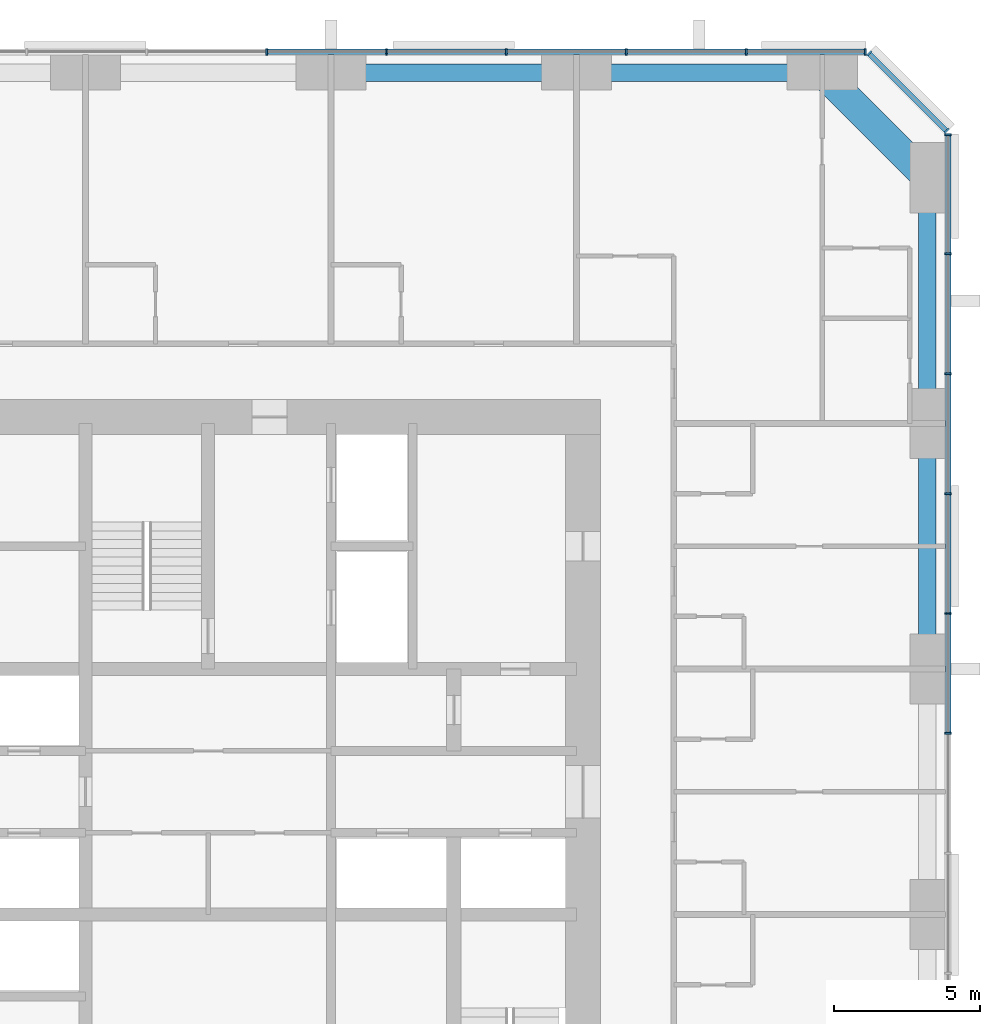
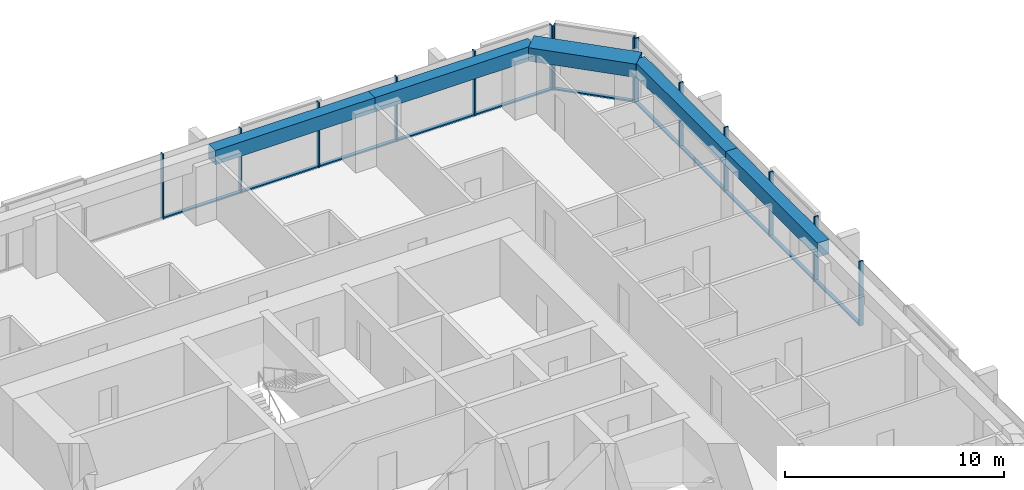
# One storey, part 6 of 13: 25 members, 5 beams, 3 elements without a shape of their own.
"""IFC4 building model written with IfcOpenShell, lengths in metres."""

import ifcopenshell
import ifcopenshell.guid

model = None  # the IFC model being written
_history = None  # IfcOwnerHistory: only IFC2X3 demands one
_inside = {}  # id of a spatial element -> (the spatial element, [elements in it])
_under = {}  # id of a project, library or spatial element -> (it, [spatial elements below it])
_declared = {}  # id of a project -> (the project, [libraries it declares])
_typed = {}  # id of a type object -> (the type object, [elements of that type])
_made_of = {}  # id of a material, layer set ... -> (it, [elements and type objects made of it])


def new_model(schema):
    """Start an empty IFC model of exactly this schema.

    Asked for "IFC4X3", IfcOpenShell would pick the latest addendum, in which some entities
    have other attributes; the version numbers below select the first issue.
    IFC2X3 requires an IfcOwnerHistory on every rooted entity: one is made here for all.
    """
    global model, _history
    if schema == "IFC4X3":
        model = ifcopenshell.file(schema_version=(4, 3, 0, 0))
    else:
        model = ifcopenshell.file(schema=schema)
    _inside.clear()
    _under.clear()
    _declared.clear()
    _typed.clear()
    _made_of.clear()
    _history = None
    if model.schema == "IFC2X3":
        org = make("IfcOrganization", Name="unknown")
        user = make(
            "IfcPersonAndOrganization",
            ThePerson=make("IfcPerson", FamilyName="unknown"),
            TheOrganization=org,
        )
        app = make(
            "IfcApplication",
            ApplicationDeveloper=org,
            Version="unknown",
            ApplicationFullName="unknown",
            ApplicationIdentifier="unknown",
        )
        _history = make(
            "IfcOwnerHistory",
            OwningUser=user,
            OwningApplication=app,
            ChangeAction="ADDED",
            CreationDate=0,
        )
    return model


def make(cls, **values):
    """One entity of the class cls with the attributes given. An attribute that is None is left unset."""
    return model.create_entity(
        cls, **{name: value for name, value in values.items() if value is not None}
    )


def rooted(cls, **values):
    """An entity with a GlobalId (a new one), such as an element, a storey or a relation."""
    return make(cls, GlobalId=ifcopenshell.guid.new(), OwnerHistory=_history, **values)


def si_unit(unit_type, name, prefix=None):
    """IfcSIUnit, for example si_unit("LENGTHUNIT", "METRE", prefix="MILLI")."""
    return make("IfcSIUnit", UnitType=unit_type, Prefix=prefix, Name=name)


def assignment(units):
    """IfcUnitAssignment: the units of a project."""
    return None if units is None else make("IfcUnitAssignment", Units=units)


def point(xyz):
    """IfcCartesianPoint."""
    return None if xyz is None else make("IfcCartesianPoint", Coordinates=xyz)


def direction(xyz):
    """IfcDirection."""
    return None if xyz is None else make("IfcDirection", DirectionRatios=xyz)


def frame(location, z_axis=None, x_axis=None):
    """IfcAxis2Placement3D, a coordinate frame: its origin and axes. An axis left out is left unset."""
    return make(
        "IfcAxis2Placement3D",
        Location=point(location),
        Axis=direction(z_axis),
        RefDirection=direction(x_axis),
    )


def frame_2d(location, x_axis=None):
    """IfcAxis2Placement2D, a coordinate frame in the plane: its origin and x axis."""
    return make(
        "IfcAxis2Placement2D", Location=point(location), RefDirection=direction(x_axis)
    )


def origin():
    """The frame at (0, 0, 0) with its axes left unset."""
    return frame((0.0, 0.0, 0.0))


def origin_2d():
    """The frame at (0, 0) in the plane with its x axis left unset."""
    return frame_2d((0.0, 0.0))


def place(relative_to, where):
    """IfcLocalPlacement: puts the frame where relative to a parent placement (None: the world)."""
    return make(
        "IfcLocalPlacement", PlacementRelTo=relative_to, RelativePlacement=where
    )


def context(
    kind, dimensions, precision=None, world=None, true_north=None, identifier=None
):
    """IfcGeometricRepresentationContext, for example the 3D "Model" context."""
    return make(
        "IfcGeometricRepresentationContext",
        ContextIdentifier=identifier,
        ContextType=kind,
        CoordinateSpaceDimension=dimensions,
        Precision=precision,
        WorldCoordinateSystem=world,
        TrueNorth=true_north,
    )


def subcontext(parent, identifier, kind, view, scale=None):
    """IfcGeometricRepresentationSubContext, for example "Body" below "Model"."""
    return make(
        "IfcGeometricRepresentationSubContext",
        ContextIdentifier=identifier,
        ContextType=kind,
        ParentContext=parent,
        TargetScale=scale,
        TargetView=view,
    )


def project(units=None, contexts=None):
    """IfcProject with its units and contexts."""
    return rooted(
        "IfcProject",
        Name="project",
        RepresentationContexts=contexts,
        UnitsInContext=assignment(units),
    )


def spatial(cls, under=None, at=None, **own):
    """A site, building, storey or space (cls), placed at a placement, below another one or the project."""
    s = rooted(cls, ObjectPlacement=at, **own)
    if under is not None:
        _under.setdefault(under.id(), (under, []))[1].append(s)
    return s


def profile(cls, at=None, kind="AREA", **sizes):
    """A parametric profile (cls). Its sizes go by their IFC names, for example OverallWidth=200.0."""
    return make(cls, ProfileType=kind, Position=at, **sizes)


def rectangle(**sizes):
    """IfcRectangleProfileDef."""
    return profile("IfcRectangleProfileDef", **sizes)


def extrude(swept, where, along, depth):
    """IfcExtrudedAreaSolid: the profile swept, set in the frame where, extruded along a direction by depth."""
    return make(
        "IfcExtrudedAreaSolid",
        SweptArea=swept,
        Position=where,
        ExtrudedDirection=direction(along),
        Depth=depth,
    )


def shape(context_of_items, identifier, shape_type, items):
    """IfcShapeRepresentation: the items that make up one representation, for example the "Body"."""
    return make(
        "IfcShapeRepresentation",
        ContextOfItems=context_of_items,
        RepresentationIdentifier=identifier,
        RepresentationType=shape_type,
        Items=items,
    )


def material(Name=None, Category=None):
    """IfcMaterial."""
    return make("IfcMaterial", Name=Name, Category=Category)


def material_profile(
    of_material, cross_section, Name=None, Category=None, Priority=None
):
    """IfcMaterialProfile: a cross section and its material."""
    return make(
        "IfcMaterialProfile",
        Name=Name,
        Material=of_material,
        Profile=cross_section,
        Priority=Priority,
        Category=Category,
    )


def profile_set(profiles, Name=None, composite=None):
    """IfcMaterialProfileSet."""
    return make(
        "IfcMaterialProfileSet",
        Name=Name,
        MaterialProfiles=profiles,
        CompositeProfile=composite,
    )


def made_of(thing, what):
    """Note that an element or type object is made of a material, layer set ...; save() writes the relation."""
    if what is not None:
        _made_of.setdefault(what.id(), (what, []))[1].append(thing)
    return thing


def type_object(cls, material=None, **own):
    """A type object (cls), such as IfcWallType, which elements share."""
    return made_of(rooted(cls, **own), material)


def element(
    cls,
    number,
    at=None,
    inside=None,
    cuts=None,
    type_object=None,
    material=None,
    context=None,
    identifier="Body",
    shape_type=None,
    held_by="IfcProductDefinitionShape",
    body=None,
    shapes=None,
    **own,
):
    """One element of the class cls, such as IfcWall. Its Tag is "e" and its number.

    at: its placement. inside: the storey or other place that contains it. cuts: it is an
    opening in that element (IfcRelVoidsElement). A single representation is given by context,
    identifier, shape_type and body (its items); several are given by shapes. held_by: the class
    of the entity that holds the representations. save() writes the other relations.
    """
    e = rooted(cls, Tag="e%d" % number, ObjectPlacement=at, **own)
    if body is not None:
        shapes = [shape(context, identifier, shape_type, body)]
    if shapes is not None:
        e.Representation = make(held_by, Representations=shapes)
    if inside is not None:
        _inside.setdefault(inside.id(), (inside, []))[1].append(e)
    if cuts is not None:
        rooted(
            "IfcRelVoidsElement", RelatingBuildingElement=cuts, RelatedOpeningElement=e
        )
    if type_object is not None:
        _typed.setdefault(type_object.id(), (type_object, []))[1].append(e)
    return made_of(e, material)


def aggregate(whole, parts):
    """IfcRelAggregates: a whole, such as a stair, and the parts it consists of."""
    return rooted("IfcRelAggregates", RelatingObject=whole, RelatedObjects=parts)


def save(model, path):
    """Write the relations noted so far, then the file.

    IfcRelAggregates (storeys below a building ...), IfcRelContainedInSpatialStructure (elements
    in a storey), IfcRelDefinesByType, IfcRelAssociatesMaterial and IfcRelDeclares: one each for
    every whole, place, type object, material and project.
    """
    for whole, parts in _under.values():
        aggregate(whole, parts)
    for where, things in _inside.values():
        rooted(
            "IfcRelContainedInSpatialStructure",
            RelatedElements=things,
            RelatingStructure=where,
        )
    for kind, things in _typed.values():
        rooted("IfcRelDefinesByType", RelatedObjects=things, RelatingType=kind)
    for what, things in _made_of.values():
        rooted("IfcRelAssociatesMaterial", RelatedObjects=things, RelatingMaterial=what)
    for by, libraries in _declared.values():
        rooted("IfcRelDeclares", RelatingContext=by, RelatedDefinitions=libraries)
    model.write(path)


model = new_model("IFC4")

# Units and contexts
model_context = context("Model", 3, precision=1e-05, world=origin(), true_north=direction((0.0, 1.0)))
body_context = subcontext(model_context, "Body", "Model", "MODEL_VIEW")
ifc_project = project(units=[si_unit("LENGTHUNIT", "METRE"), si_unit("AREAUNIT", "SQUARE_METRE"), si_unit("VOLUMEUNIT", "CUBIC_METRE"), si_unit("PLANEANGLEUNIT", "RADIAN"), si_unit("MASSUNIT", "GRAM", prefix="KILO")], contexts=[model_context])

# Site, building, storey
site_placement = place(None, origin())
site = spatial("IfcSite", under=ifc_project, at=site_placement, CompositionType="ELEMENT")
building_placement = place(site_placement, origin())
building = spatial("IfcBuilding", under=site, at=building_placement, Name="Dunama Terrace Hotel", CompositionType="ELEMENT")
storey_placement = place(building_placement, frame((0.0, 0.0, 115.199951171875)))
storey = spatial("IfcBuildingStorey", under=building, at=storey_placement, Name="L29", CompositionType="ELEMENT", Elevation=115.199951171875)

# Curtain wall, members
ifc_material_1 = material(Name="Aluminium curtain wall system", Category="aluminium")
curtain_wall_type = type_object("IfcCurtainWallType", Name="Unitised fritted glass wall CW-B", PredefinedType="NOTDEFINED", material=ifc_material_1)
curtain_wall_1_placement = place(storey_placement, origin())
curtain_wall_1 = element("IfcCurtainWall", 1, at=curtain_wall_1_placement, inside=storey, type_object=curtain_wall_type, Name="Unitised fritted glass wall CW-B L29", PredefinedType="NOTDEFINED")
ifc_material_2 = material(Name="Aluminium mullion", Category="aluminium")
ifc_material_profile_1 = material_profile(ifc_material_2, rectangle(XDim=0.06494140625, YDim=0.219970703125, at=origin_2d()), Name="CWB MULLION 65X220")
ifc_profile_set_1 = profile_set([ifc_material_profile_1], Name="Aluminium mullion")
member_type_1 = type_object("IfcMemberType", Name="CWB mullion 65x220", PredefinedType="MULLION", material=ifc_profile_set_1)
member_1_placement = place(storey_placement, frame((54.7099609375, 31.39990234375, 0.0), z_axis=(0.0, 0.0, 1.0), x_axis=(0.0, 1.0, 0.0)))
member_1 = element("IfcMember", 2, at=member_1_placement, type_object=member_type_1, Name="CWB mullion", PredefinedType="MULLION", context=body_context, shape_type="SweptSolid", body=[
    extrude(rectangle(XDim=0.06494140625, YDim=0.219970703125, at=origin_2d()), origin(), (0.0, 0.0, 1.0), 3.60009765625),
])
member_2_placement = place(storey_placement, frame((54.7099609375, 35.5, 0.0), z_axis=(0.0, 0.0, 1.0), x_axis=(0.0, 1.0, 0.0)))
member_2 = element("IfcMember", 3, at=member_2_placement, type_object=member_type_1, Name="CWB mullion", PredefinedType="MULLION", context=body_context, shape_type="SweptSolid", body=[
    extrude(rectangle(XDim=0.06494140625, YDim=0.219970703125, at=origin_2d()), origin(), (0.0, 0.0, 1.0), 3.60009765625),
])
member_3_placement = place(storey_placement, frame((54.7099609375, 39.60009765625, 0.0), z_axis=(0.0, 0.0, 1.0), x_axis=(0.0, 1.0, 0.0)))
member_3 = element("IfcMember", 4, at=member_3_placement, type_object=member_type_1, Name="CWB mullion", PredefinedType="MULLION", context=body_context, shape_type="SweptSolid", body=[
    extrude(rectangle(XDim=0.06494140625, YDim=0.219970703125, at=origin_2d()), origin(), (0.0, 0.0, 1.0), 3.60009765625),
])
member_4_placement = place(storey_placement, frame((54.7099609375, 43.699951171875, 0.0), z_axis=(0.0, 0.0, 1.0), x_axis=(0.0, 1.0, 0.0)))
member_4 = element("IfcMember", 5, at=member_4_placement, type_object=member_type_1, Name="CWB mullion", PredefinedType="MULLION", context=body_context, shape_type="SweptSolid", body=[
    extrude(rectangle(XDim=0.06494140625, YDim=0.219970703125, at=origin_2d()), origin(), (0.0, 0.0, 1.0), 3.60009765625),
])
member_5_placement = place(storey_placement, frame((54.7099609375, 47.800048828125, 0.0), z_axis=(0.0, 0.0, 1.0), x_axis=(0.0, 1.0, 0.0)))
member_5 = element("IfcMember", 6, at=member_5_placement, type_object=member_type_1, Name="CWB mullion", PredefinedType="MULLION", context=body_context, shape_type="SweptSolid", body=[
    extrude(rectangle(XDim=0.06494140625, YDim=0.219970703125, at=origin_2d()), origin(), (0.0, 0.0, 1.0), 3.60009765625),
])
member_6_placement = place(storey_placement, frame((54.7099609375, 51.866943359375, 0.0), z_axis=(0.0, 0.0, 1.0), x_axis=(0.0, 1.0, 0.0)))
member_6 = element("IfcMember", 7, at=member_6_placement, type_object=member_type_1, Name="CWB mullion", PredefinedType="MULLION", context=body_context, shape_type="SweptSolid", body=[
    extrude(rectangle(XDim=0.06494140625, YDim=0.219970703125, at=origin_2d()), origin(), (0.0, 0.0, 1.0), 3.60009765625),
])

curtain_wall_2_placement = place(storey_placement, origin())
curtain_wall_2 = element("IfcCurtainWall", 8, at=curtain_wall_2_placement, inside=storey, type_object=curtain_wall_type, Name="Unitised fritted glass wall CW-B L29", PredefinedType="NOTDEFINED")
member_7_placement = place(storey_placement, frame((54.655029296875, 52.0009765625, 0.0), z_axis=(0.0, 0.0, 1.0), x_axis=(-0.707106781187, 0.707106781187, 0.0)))
member_7 = element("IfcMember", 9, at=member_7_placement, type_object=member_type_1, Name="CWB mullion", PredefinedType="MULLION", context=body_context, shape_type="SweptSolid", body=[
    extrude(rectangle(XDim=0.06494140625, YDim=0.219970703125, at=origin_2d()), origin(), (0.0, 0.0, 1.0), 3.60009765625),
])
member_8_placement = place(storey_placement, frame((52.0009765625, 54.655029296875, 0.0), z_axis=(0.0, 0.0, 1.0), x_axis=(-0.707106781187, 0.707106781187, 0.0)))
member_8 = element("IfcMember", 10, at=member_8_placement, type_object=member_type_1, Name="CWB mullion", PredefinedType="MULLION", context=body_context, shape_type="SweptSolid", body=[
    extrude(rectangle(XDim=0.06494140625, YDim=0.219970703125, at=origin_2d()), origin(), (0.0, 0.0, 1.0), 3.60009765625),
])

curtain_wall_3_placement = place(storey_placement, origin())
curtain_wall_3 = element("IfcCurtainWall", 11, at=curtain_wall_3_placement, inside=storey, type_object=curtain_wall_type, Name="Unitised fritted glass wall CW-B L29", PredefinedType="NOTDEFINED")
member_9_placement = place(storey_placement, frame((51.866943359375, 54.7099609375, 0.0), z_axis=(0.0, 0.0, 1.0), x_axis=(-1.0, 0.0, 0.0)))
member_9 = element("IfcMember", 12, at=member_9_placement, type_object=member_type_1, Name="CWB mullion", PredefinedType="MULLION", context=body_context, shape_type="SweptSolid", body=[
    extrude(rectangle(XDim=0.06494140625, YDim=0.219970703125, at=origin_2d()), origin(), (0.0, 0.0, 1.0), 3.60009765625),
])
member_10_placement = place(storey_placement, frame((47.800048828125, 54.7099609375, 0.0), z_axis=(0.0, 0.0, 1.0), x_axis=(-1.0, 0.0, 0.0)))
member_10 = element("IfcMember", 13, at=member_10_placement, type_object=member_type_1, Name="CWB mullion", PredefinedType="MULLION", context=body_context, shape_type="SweptSolid", body=[
    extrude(rectangle(XDim=0.06494140625, YDim=0.219970703125, at=origin_2d()), origin(), (0.0, 0.0, 1.0), 3.60009765625),
])
member_11_placement = place(storey_placement, frame((43.699951171875, 54.7099609375, 0.0), z_axis=(0.0, 0.0, 1.0), x_axis=(-1.0, 0.0, 0.0)))
member_11 = element("IfcMember", 14, at=member_11_placement, type_object=member_type_1, Name="CWB mullion", PredefinedType="MULLION", context=body_context, shape_type="SweptSolid", body=[
    extrude(rectangle(XDim=0.06494140625, YDim=0.219970703125, at=origin_2d()), origin(), (0.0, 0.0, 1.0), 3.60009765625),
])
member_12_placement = place(storey_placement, frame((39.60009765625, 54.7099609375, 0.0), z_axis=(0.0, 0.0, 1.0), x_axis=(-1.0, 0.0, 0.0)))
member_12 = element("IfcMember", 15, at=member_12_placement, type_object=member_type_1, Name="CWB mullion", PredefinedType="MULLION", context=body_context, shape_type="SweptSolid", body=[
    extrude(rectangle(XDim=0.06494140625, YDim=0.219970703125, at=origin_2d()), origin(), (0.0, 0.0, 1.0), 3.60009765625),
])
member_13_placement = place(storey_placement, frame((35.5, 54.7099609375, 0.0), z_axis=(0.0, 0.0, 1.0), x_axis=(-1.0, 0.0, 0.0)))
member_13 = element("IfcMember", 16, at=member_13_placement, type_object=member_type_1, Name="CWB mullion", PredefinedType="MULLION", context=body_context, shape_type="SweptSolid", body=[
    extrude(rectangle(XDim=0.06494140625, YDim=0.219970703125, at=origin_2d()), origin(), (0.0, 0.0, 1.0), 3.60009765625),
])
member_14_placement = place(storey_placement, frame((31.39990234375, 54.7099609375, 0.0), z_axis=(0.0, 0.0, 1.0), x_axis=(-1.0, 0.0, 0.0)))
member_14 = element("IfcMember", 17, at=member_14_placement, type_object=member_type_1, Name="CWB mullion", PredefinedType="MULLION", context=body_context, shape_type="SweptSolid", body=[
    extrude(rectangle(XDim=0.06494140625, YDim=0.219970703125, at=origin_2d()), origin(), (0.0, 0.0, 1.0), 3.60009765625),
])

# Member
ifc_material_3 = material(Name="Aluminium transom", Category="aluminium")
ifc_material_profile_2 = material_profile(ifc_material_3, rectangle(XDim=0.179931640625, YDim=0.080078125, at=origin_2d()), Name="CWB TRANSOM 180X80")
ifc_profile_set_2 = profile_set([ifc_material_profile_2], Name="Aluminium transom")
member_type_2 = type_object("IfcMemberType", Name="CWB transom 180x80", PredefinedType="USERDEFINED", material=ifc_profile_set_2)
member_15_placement = place(storey_placement, frame((54.7099609375, 31.431884765625, 0.0400390625), z_axis=(0.0, 1.0, 0.0), x_axis=(-1.0, 0.0, 0.0)))
member_15 = element("IfcMember", 18, at=member_15_placement, type_object=member_type_2, Name="CWB transom", ObjectType="TRANSOM", PredefinedType="USERDEFINED", context=body_context, shape_type="SweptSolid", body=[
    extrude(rectangle(XDim=0.179931640625, YDim=0.080078125, at=origin_2d()), origin(), (0.0, 0.0, 1.0), 4.0361328125),
])

member_16_placement = place(storey_placement, frame((54.7099609375, 35.531982421875, 0.0400390625), z_axis=(0.0, 1.0, 0.0), x_axis=(-1.0, 0.0, 0.0)))
member_16 = element("IfcMember", 19, at=member_16_placement, type_object=member_type_2, Name="CWB transom", ObjectType="TRANSOM", PredefinedType="USERDEFINED", context=body_context, shape_type="SweptSolid", body=[
    extrude(rectangle(XDim=0.179931640625, YDim=0.080078125, at=origin_2d()), origin(), (0.0, 0.0, 1.0), 4.0361328125),
])

member_17_placement = place(storey_placement, frame((54.7099609375, 39.633056640625, 0.0400390625), z_axis=(0.0, 1.0, 0.0), x_axis=(-1.0, 0.0, 0.0)))
member_17 = element("IfcMember", 20, at=member_17_placement, type_object=member_type_2, Name="CWB transom", ObjectType="TRANSOM", PredefinedType="USERDEFINED", context=body_context, shape_type="SweptSolid", body=[
    extrude(rectangle(XDim=0.179931640625, YDim=0.080078125, at=origin_2d()), origin(), (0.0, 0.0, 1.0), 4.034912109375),
])

member_18_placement = place(storey_placement, frame((54.7099609375, 43.73291015625, 0.0400390625), z_axis=(0.0, 1.0, 0.0), x_axis=(-1.0, 0.0, 0.0)))
member_18 = element("IfcMember", 21, at=member_18_placement, type_object=member_type_2, Name="CWB transom", ObjectType="TRANSOM", PredefinedType="USERDEFINED", context=body_context, shape_type="SweptSolid", body=[
    extrude(rectangle(XDim=0.179931640625, YDim=0.080078125, at=origin_2d()), origin(), (0.0, 0.0, 1.0), 4.0341796875),
])

member_19_placement = place(storey_placement, frame((54.7099609375, 47.83203125, 0.0400390625), z_axis=(0.0, 1.0, 0.0), x_axis=(-1.0, 0.0, 0.0)))
member_19 = element("IfcMember", 22, at=member_19_placement, type_object=member_type_2, Name="CWB transom", ObjectType="TRANSOM", PredefinedType="USERDEFINED", context=body_context, shape_type="SweptSolid", body=[
    extrude(rectangle(XDim=0.179931640625, YDim=0.080078125, at=origin_2d()), origin(), (0.0, 0.0, 1.0), 4.0029296875),
])

aggregate(curtain_wall_1, [member_1, member_2, member_3, member_4, member_5, member_6, member_15, member_16, member_17, member_18, member_19])

member_20_placement = place(storey_placement, frame((54.632080078125, 52.02392578125, 0.0400390625), z_axis=(-0.707106781187, 0.707106781187, 0.0), x_axis=(-0.707106781187, -0.707106781187, 0.0)))
member_20 = element("IfcMember", 23, at=member_20_placement, type_object=member_type_2, Name="CWB transom", ObjectType="TRANSOM", PredefinedType="USERDEFINED", context=body_context, shape_type="SweptSolid", body=[
    extrude(rectangle(XDim=0.179931640625, YDim=0.080078125, at=origin_2d()), origin(), (0.0, 0.0, 1.0), 3.6884765625),
])

aggregate(curtain_wall_2, [member_7, member_8, member_20])

member_21_placement = place(storey_placement, frame((51.8349609375, 54.7099609375, 0.0400390625), z_axis=(-1.0, 0.0, 0.0), x_axis=(0.0, -1.0, 0.0)))
member_21 = element("IfcMember", 24, at=member_21_placement, type_object=member_type_2, Name="CWB transom", ObjectType="TRANSOM", PredefinedType="USERDEFINED", context=body_context, shape_type="SweptSolid", body=[
    extrude(rectangle(XDim=0.179931640625, YDim=0.080078125, at=origin_2d()), origin(), (0.0, 0.0, 1.0), 4.0029296875),
])

member_22_placement = place(storey_placement, frame((47.76708984375, 54.7099609375, 0.0400390625), z_axis=(-1.0, 0.0, 0.0), x_axis=(0.0, -1.0, 0.0)))
member_22 = element("IfcMember", 25, at=member_22_placement, type_object=member_type_2, Name="CWB transom", ObjectType="TRANSOM", PredefinedType="USERDEFINED", context=body_context, shape_type="SweptSolid", body=[
    extrude(rectangle(XDim=0.179931640625, YDim=0.080078125, at=origin_2d()), origin(), (0.0, 0.0, 1.0), 4.0341796875),
])

member_23_placement = place(storey_placement, frame((43.6669921875, 54.7099609375, 0.0400390625), z_axis=(-1.0, 0.0, 0.0), x_axis=(0.0, -1.0, 0.0)))
member_23 = element("IfcMember", 26, at=member_23_placement, type_object=member_type_2, Name="CWB transom", ObjectType="TRANSOM", PredefinedType="USERDEFINED", context=body_context, shape_type="SweptSolid", body=[
    extrude(rectangle(XDim=0.179931640625, YDim=0.080078125, at=origin_2d()), origin(), (0.0, 0.0, 1.0), 4.033935546875),
])

member_24_placement = place(storey_placement, frame((39.56689453125, 54.7099609375, 0.0400390625), z_axis=(-1.0, 0.0, 0.0), x_axis=(0.0, -1.0, 0.0)))
member_24 = element("IfcMember", 27, at=member_24_placement, type_object=member_type_2, Name="CWB transom", ObjectType="TRANSOM", PredefinedType="USERDEFINED", context=body_context, shape_type="SweptSolid", body=[
    extrude(rectangle(XDim=0.179931640625, YDim=0.080078125, at=origin_2d()), origin(), (0.0, 0.0, 1.0), 4.034912109375),
])

member_25_placement = place(storey_placement, frame((35.468017578125, 54.7099609375, 0.0400390625), z_axis=(-1.0, 0.0, 0.0), x_axis=(0.0, -1.0, 0.0)))
member_25 = element("IfcMember", 28, at=member_25_placement, type_object=member_type_2, Name="CWB transom", ObjectType="TRANSOM", PredefinedType="USERDEFINED", context=body_context, shape_type="SweptSolid", body=[
    extrude(rectangle(XDim=0.179931640625, YDim=0.080078125, at=origin_2d()), origin(), (0.0, 0.0, 1.0), 4.0361328125),
])

aggregate(curtain_wall_3, [member_9, member_10, member_11, member_12, member_13, member_14, member_21, member_22, member_23, member_24, member_25])

# Beams
ifc_material_4 = material(Name="Concrete C50/60", Category="concrete")
ifc_material_profile_3 = material_profile(ifc_material_4, rectangle(XDim=1.0, YDim=0.75, at=origin_2d()), Name="RC 1000x750")
ifc_profile_set_3 = profile_set([ifc_material_profile_3], Name="Concrete C50/60")
beam_type_1 = type_object("IfcBeamType", Name="Edge beam RC 1000x750", PredefinedType="SPANDREL", material=ifc_profile_set_3)
beam_placement = place(storey_placement, frame((50.39990234375, 54.0, 3.22509765625), z_axis=(0.707106781187, -0.707106781187, 0.0), x_axis=(0.707106781187, 0.707106781187, 0.0)))
element("IfcBeam", 29, at=beam_placement, inside=storey, type_object=beam_type_1, Name="Corner edge beam under L30", PredefinedType="SPANDREL", context=body_context, shape_type="SweptSolid", body=[
    extrude(rectangle(XDim=1.0, YDim=0.75, at=origin_2d()), origin(), (0.0, 0.0, 1.0), 5.09130859375),
])
ifc_material_5 = material(Name="Concrete C40/50", Category="concrete")
ifc_material_profile_4 = material_profile(ifc_material_5, rectangle(XDim=0.60009765625, YDim=0.800048828125, at=origin_2d()), Name="RC 600x800")
ifc_profile_set_4 = profile_set([ifc_material_profile_4], Name="Concrete C40/50")
beam_type_2 = type_object("IfcBeamType", Name="Edge beam RC 600x800", PredefinedType="SPANDREL", material=ifc_profile_set_4)
for number, where, z_axis, x_axis, name in (
    (30, (54.0, 33.60009765625, 3.199951171875), (0.0, 1.0, 0.0), (-1.0, 0.0, 0.0), "Edge beam under L30"),
    (31, (54.0, 42.0, 3.199951171875), (0.0, 1.0, 0.0), (-1.0, 0.0, 0.0), "Edge beam under L30"),
    (32, (33.60009765625, 54.0, 3.199951171875), (1.0, 0.0, 0.0), (0.0, 1.0, 0.0), "Edge beam under L30"),
    (33, (42.0, 54.0, 3.199951171875), (1.0, 0.0, 0.0), (0.0, 1.0, 0.0), "Edge beam under L30"),
):
    element("IfcBeam", number, at=place(storey_placement, frame(where, z_axis=z_axis, x_axis=x_axis)), inside=storey, type_object=beam_type_2, Name=name, PredefinedType="SPANDREL", context=body_context, shape_type="SweptSolid", body=[
        extrude(rectangle(XDim=0.60009765625, YDim=0.800048828125, at=origin_2d()), origin(), (0.0, 0.0, 1.0), 8.39990234375),
    ])

save(model, "model.ifc")
